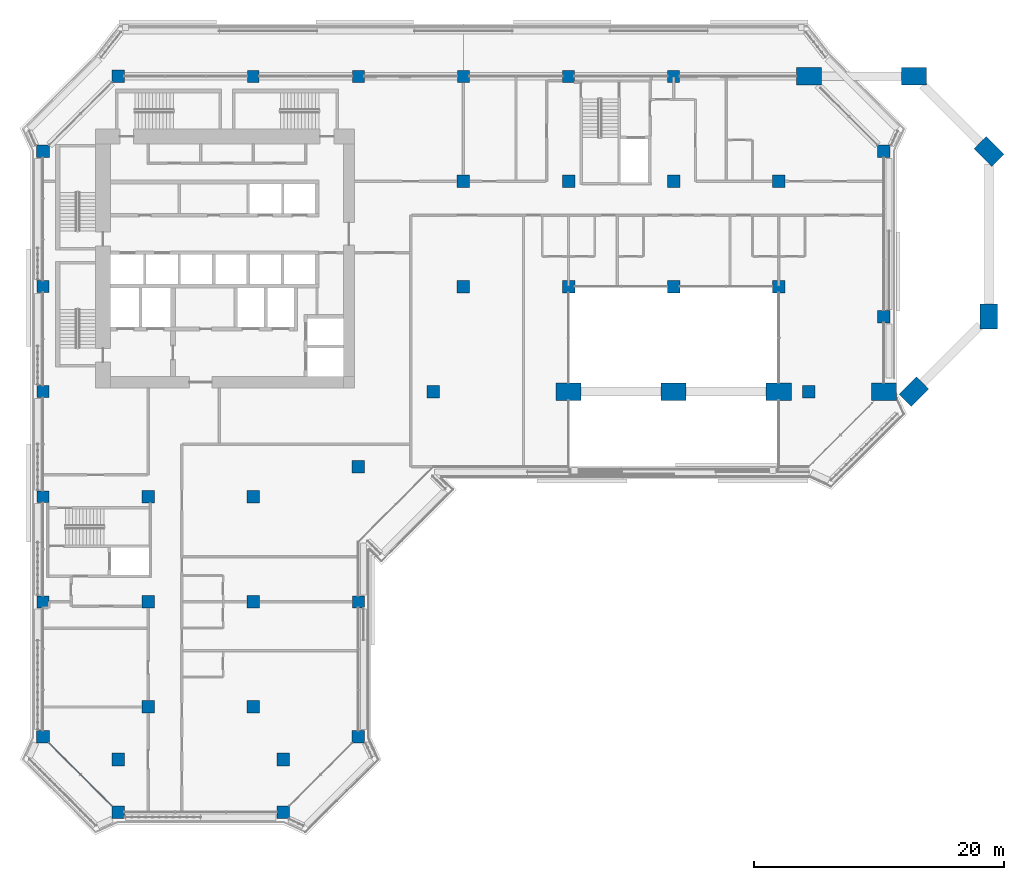
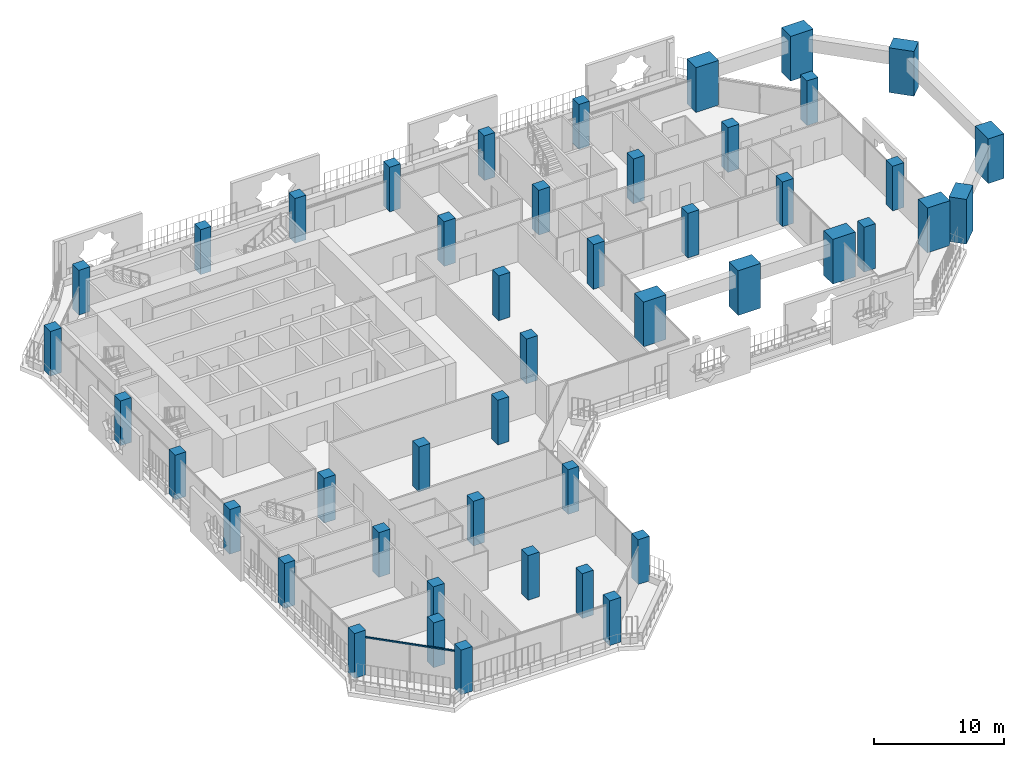
# One storey, part 1 of 23: 46 columns, 1 member, 1 element without a shape of its own.
"""IFC4 building model written with IfcOpenShell, lengths in metres."""

from ifc_helpers import new_model, si_unit, direction, frame, origin, origin_2d, place, context, subcontext, project, spatial, rectangle, extrude, material, layer, layer_set, material_profile, profile_set, type_object, element, aggregate, save


model = new_model("IFC4")

# Units and contexts
model_context = context("Model", 3, precision=1e-05, world=origin(), true_north=direction((0.0, 1.0)))
body_context = subcontext(model_context, "Body", "Model", "MODEL_VIEW")
ifc_project = project(units=[si_unit("LENGTHUNIT", "METRE"), si_unit("AREAUNIT", "SQUARE_METRE"), si_unit("VOLUMEUNIT", "CUBIC_METRE"), si_unit("PLANEANGLEUNIT", "RADIAN"), si_unit("MASSUNIT", "GRAM", prefix="KILO")], contexts=[model_context])

# Site, building, storey
site_placement = place(None, origin())
site = spatial("IfcSite", under=ifc_project, at=site_placement, CompositionType="ELEMENT")
building_placement = place(site_placement, origin())
building = spatial("IfcBuilding", under=site, at=building_placement, Name="Kawkab Arch Medical Tower", CompositionType="ELEMENT")
storey_placement = place(building_placement, frame((0.0, 0.0, 166.800048828125)))
storey = spatial("IfcBuildingStorey", under=building, at=storey_placement, Name="L38", CompositionType="ELEMENT", Elevation=166.800048828125)

# Columns
ifc_material_1 = material(Name="Concrete C50/60", Category="concrete")
ifc_material_profile_1 = material_profile(ifc_material_1, rectangle(XDim=1.0, YDim=1.0, at=origin_2d()), Name="RC 1000x1000")
ifc_profile_set_1 = profile_set([ifc_material_profile_1], Name="Concrete C50/60")
column_type_1 = type_object("IfcColumnType", Name="RC 1000x1000 column C50/60", PredefinedType="COLUMN", material=ifc_profile_set_1)
for number, where, z_axis, x_axis, name in (
    (1, (6.0, 0.0, 0.0), (0.0, 0.0, 1.0), (1.0, 0.0, 0.0), "Column RC 1000x1000"),
    (2, (0.0, -6.0, 0.0), (0.0, 0.0, 1.0), (1.0, 0.0, 0.0), "Column RC 1000x1000"),
    (3, (67.199951171875, -6.0, 0.0), (0.0, 0.0, 1.0), (1.0, 0.0, 0.0), "Column RC 1000x1000"),
    (4, (33.60009765625, -8.39990234375, 0.0), (0.0, 0.0, 1.0), (1.0, 0.0, 0.0), "Column RC 1000x1000"),
    (5, (42.0, -8.39990234375, 0.0), (0.0, 0.0, 1.0), (1.0, 0.0, 0.0), "Column RC 1000x1000"),
    (6, (50.39990234375, -8.39990234375, 0.0), (0.0, 0.0, 1.0), (1.0, 0.0, 0.0), "Column RC 1000x1000"),
    (7, (58.800048828125, -8.39990234375, 0.0), (0.0, 0.0, 1.0), (1.0, 0.0, 0.0), "Column RC 1000x1000"),
    (8, (33.60009765625, -16.800048828125, 0.0), (0.0, 0.0, 1.0), (1.0, 0.0, 0.0), "Column RC 1000x1000"),
    (9, (42.0, -16.800048828125, 0.0), (0.0, 0.0, 1.0), (1.0, 0.0, 0.0), "Column RC 1000x1000"),
    (10, (50.39990234375, -16.800048828125, 0.0), (0.0, 0.0, 1.0), (1.0, 0.0, 0.0), "Column RC 1000x1000"),
    (11, (58.800048828125, -16.800048828125, 0.0), (0.0, 0.0, 1.0), (1.0, 0.0, 0.0), "Column RC 1000x1000"),
    (12, (67.199951171875, -19.199951171875, 0.0), (0.0, 0.0, 1.0), (1.0, 0.0, 0.0), "Column RC 1000x1000"),
    (13, (31.199951171875, -25.199951171875, 0.0), (0.0, 0.0, 1.0), (1.0, 0.0, 0.0), "Column RC 1000x1000"),
    (14, (61.199951171875, -25.199951171875, 0.0), (0.0, 0.0, 1.0), (1.0, 0.0, 0.0), "Column RC 1000x1000"),
    (15, (25.199951171875, -31.199951171875, 0.0), (0.0, 0.0, 1.0), (1.0, 0.0, 0.0), "Column RC 1000x1000"),
    (16, (8.39990234375, -33.60009765625, 0.0), (0.0, 0.0, 1.0), (1.0, 0.0, 0.0), "Column RC 1000x1000"),
    (17, (16.800048828125, -33.60009765625, 0.0), (0.0, 0.0, 1.0), (1.0, 0.0, 0.0), "Column RC 1000x1000"),
    (18, (8.39990234375, -42.0, 0.0), (0.0, 0.0, 1.0), (1.0, 0.0, 0.0), "Column RC 1000x1000"),
    (19, (16.800048828125, -42.0, 0.0), (0.0, 0.0, 1.0), (1.0, 0.0, 0.0), "Column RC 1000x1000"),
    (20, (8.39990234375, -50.39990234375, 0.0), (0.0, 0.0, 1.0), (1.0, 0.0, 0.0), "Column RC 1000x1000"),
    (21, (16.800048828125, -50.39990234375, 0.0), (0.0, 0.0, 1.0), (1.0, 0.0, 0.0), "Column RC 1000x1000"),
    (22, (0.0, -52.800048828125, 0.0), (0.0, 0.0, 1.0), (1.0, 0.0, 0.0), "Column RC 1000x1000"),
    (23, (25.199951171875, -52.800048828125, 0.0), (0.0, 0.0, 1.0), (1.0, 0.0, 0.0), "Column RC 1000x1000"),
    (24, (6.0, -54.60009765625, 0.0), (0.0, 0.0, 1.0), (1.0, 0.0, 0.0), "Column RC 1000x1000"),
    (25, (19.199951171875, -54.60009765625, 0.0), (0.0, 0.0, 1.0), (1.0, 0.0, 0.0), "Column RC 1000x1000"),
    (26, (6.0, -58.800048828125, 0.0), (0.0, 0.0, 1.0), (1.0, 0.0, 0.0), "Column RC 1000x1000"),
    (27, (19.199951171875, -58.800048828125, 0.0), (0.0, 0.0, 1.0), (1.0, 0.0, 0.0), "Column RC 1000x1000"),
):
    element("IfcColumn", number, at=place(storey_placement, frame(where, z_axis=z_axis, x_axis=x_axis)), inside=storey, type_object=column_type_1, Name=name, PredefinedType="COLUMN", context=body_context, shape_type="SweptSolid", body=[
        extrude(rectangle(XDim=1.0, YDim=1.0, at=origin_2d()), origin(), (0.0, 0.0, 1.0), 4.199951171875),
    ])
ifc_material_2 = material(Name="Concrete C50/60", Category="concrete")
ifc_material_profile_2 = material_profile(ifc_material_2, rectangle(XDim=2.0, YDim=1.39990234375, at=origin_2d()), Name="RC 2000x1400")
ifc_profile_set_2 = profile_set([ifc_material_profile_2], Name="Concrete C50/60")
column_type_2 = type_object("IfcColumnType", Name="RC 2000x1400 column C50/60", PredefinedType="COLUMN", material=ifc_profile_set_2)
for number, where, z_axis, x_axis, name in (
    (28, (61.199951171875, 0.0, 0.0), (0.0, 0.0, 1.0), (1.0, 0.0, 0.0), "Column RC 2000x1400"),
    (29, (42.0, -25.199951171875, 0.0), (0.0, 0.0, 1.0), (-1.0, 0.0, 0.0), "Column RC 2000x1400"),
    (30, (50.39990234375, -25.199951171875, 0.0), (0.0, 0.0, 1.0), (-1.0, 0.0, 0.0), "Column RC 2000x1400"),
    (31, (69.60009765625, 0.0, 0.0), (0.0, 0.0, 1.0), (1.0, 0.0, 0.0), "Column RC 2000x1400"),
    (32, (75.60009765625, -6.0, 0.0), (0.0, 0.0, 1.0), (0.707106781187, -0.707106781187, 0.0), "Column RC 2000x1400"),
    (33, (75.60009765625, -19.199951171875, 0.0), (0.0, 0.0, 1.0), (0.0, -1.0, 0.0), "Column RC 2000x1400"),
    (34, (69.60009765625, -25.199951171875, 0.0), (0.0, 0.0, 1.0), (-0.707106781187, -0.707106781187, 0.0), "Column RC 2000x1400"),
    (35, (67.199951171875, -25.199951171875, 0.0), (0.0, 0.0, 1.0), (-1.0, 0.0, 0.0), "Column RC 2000x1400"),
    (36, (58.800048828125, -25.199951171875, 0.0), (0.0, 0.0, 1.0), (-1.0, 0.0, 0.0), "Column RC 2000x1400"),
):
    element("IfcColumn", number, at=place(storey_placement, frame(where, z_axis=z_axis, x_axis=x_axis)), inside=storey, type_object=column_type_2, Name=name, PredefinedType="COLUMN", context=body_context, shape_type="SweptSolid", body=[
        extrude(rectangle(XDim=2.0, YDim=1.39990234375, at=origin_2d()), origin(), (0.0, 0.0, 1.0), 4.199951171875),
    ])
ifc_material_3 = material(Name="Concrete C50/60", Category="concrete")
ifc_material_profile_3 = material_profile(ifc_material_3, rectangle(XDim=0.949951171875, YDim=0.949951171875, at=origin_2d()), Name="RC 950x950")
ifc_profile_set_3 = profile_set([ifc_material_profile_3], Name="Concrete C50/60")
column_type_3 = type_object("IfcColumnType", Name="RC 950x950 column C50/60", PredefinedType="COLUMN", material=ifc_profile_set_3)
for number, where, z_axis, x_axis, name in (
    (37, (16.800048828125, 0.0, 0.0), (0.0, 0.0, 1.0), (1.0, 0.0, 0.0), "Column RC 950x950"),
    (38, (25.199951171875, 0.0, 0.0), (0.0, 0.0, 1.0), (1.0, 0.0, 0.0), "Column RC 950x950"),
    (39, (33.60009765625, 0.0, 0.0), (0.0, 0.0, 1.0), (1.0, 0.0, 0.0), "Column RC 950x950"),
    (40, (42.0, 0.0, 0.0), (0.0, 0.0, 1.0), (1.0, 0.0, 0.0), "Column RC 950x950"),
    (41, (50.39990234375, 0.0, 0.0), (0.0, 0.0, 1.0), (1.0, 0.0, 0.0), "Column RC 950x950"),
    (42, (0.0, -16.800048828125, 0.0), (0.0, 0.0, 1.0), (1.0, 0.0, 0.0), "Column RC 950x950"),
    (43, (0.0, -25.199951171875, 0.0), (0.0, 0.0, 1.0), (1.0, 0.0, 0.0), "Column RC 950x950"),
    (44, (0.0, -33.60009765625, 0.0), (0.0, 0.0, 1.0), (1.0, 0.0, 0.0), "Column RC 950x950"),
    (45, (0.0, -42.0, 0.0), (0.0, 0.0, 1.0), (1.0, 0.0, 0.0), "Column RC 950x950"),
    (46, (25.199951171875, -42.0, 0.0), (0.0, 0.0, 1.0), (1.0, 0.0, 0.0), "Column RC 950x950"),
):
    element("IfcColumn", number, at=place(storey_placement, frame(where, z_axis=z_axis, x_axis=x_axis)), inside=storey, type_object=column_type_3, Name=name, PredefinedType="COLUMN", context=body_context, shape_type="SweptSolid", body=[
        extrude(rectangle(XDim=0.949951171875, YDim=0.949951171875, at=origin_2d()), origin(), (0.0, 0.0, 1.0), 4.199951171875),
    ])

# Curtain wall, member
ifc_material_4 = material(Name="Bronze anodised aluminium curtain wall frame", Category="aluminium")
ifc_layer = layer(ifc_material_4, 0.159912109375)
ifc_layer_set = layer_set([ifc_layer], Name="Bronze anodised aluminium curtain wall frame")
curtain_wall_type = type_object("IfcCurtainWallType", Name="CW2 chamfer curtain wall", PredefinedType="NOTDEFINED", material=ifc_layer_set)
curtain_wall_placement = place(storey_placement, origin())
curtain_wall = element("IfcCurtainWall", 47, at=curtain_wall_placement, inside=storey, type_object=curtain_wall_type, Name="CW2 Chamfer curtain wall R12", PredefinedType="NOTDEFINED")
ifc_material_5 = material(Name="Bronze anodised aluminium curtain wall frame", Category="aluminium")
ifc_material_profile_4 = material_profile(ifc_material_5, rectangle(XDim=0.06005859375, YDim=0.139892578125, at=origin_2d()), Name="AL 60x140")
ifc_profile_set_4 = profile_set([ifc_material_profile_4], Name="Bronze anodised aluminium curtain wall frame")
member_type = type_object("IfcMemberType", Name="CW2 transom 140 x 60", PredefinedType="USERDEFINED", material=ifc_profile_set_4)
member_placement = place(storey_placement, frame((0.5, -53.300048828125, 3.530029296875), z_axis=(0.707106781187, -0.707106781187, 0.0), x_axis=(0.707106781187, 0.707106781187, 0.0)))
member = element("IfcMember", 48, at=member_placement, type_object=member_type, Name="CW2 transom 1", ObjectType="TRANSOM", PredefinedType="USERDEFINED", context=body_context, shape_type="SweptSolid", body=[
    extrude(rectangle(XDim=0.06005859375, YDim=0.139892578125, at=origin_2d()), origin(), (0.0, 0.0, 1.0), 7.071044921875),
])
aggregate(curtain_wall, [member])

save(model, "model.ifc")
